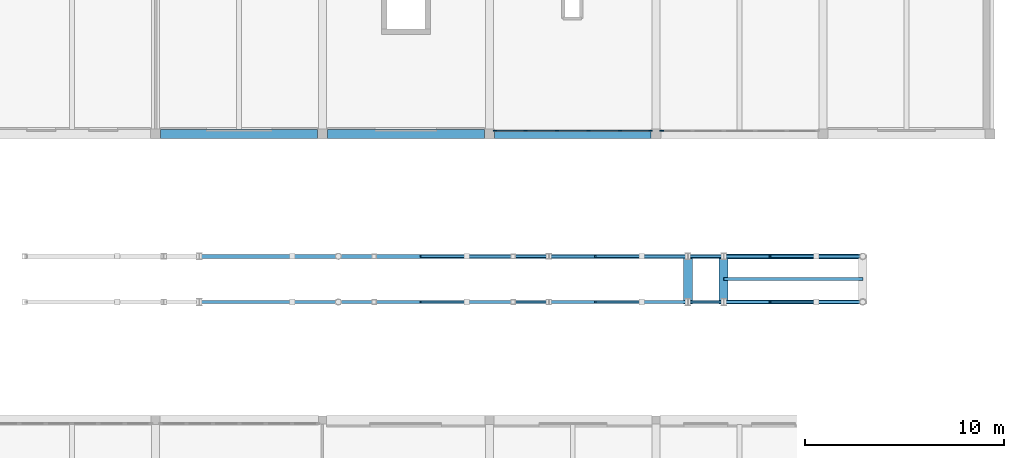
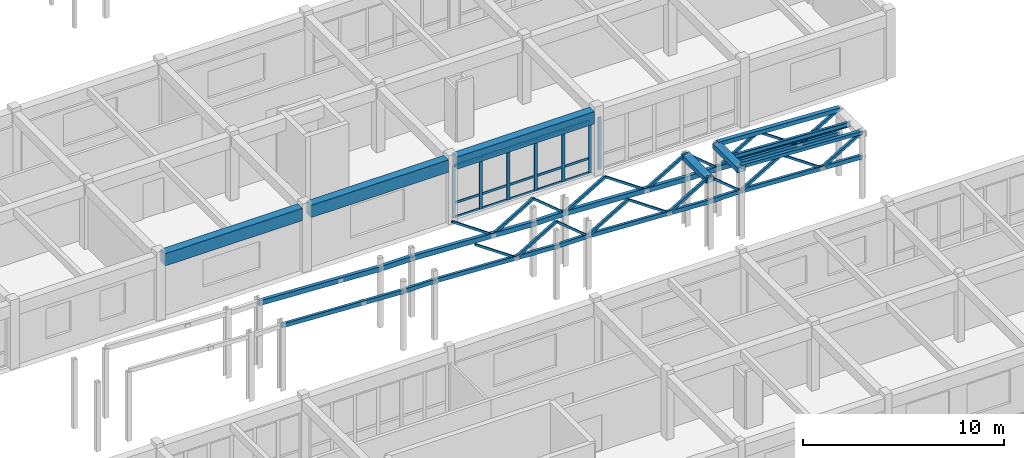
# One storey, part 47 of 90: 58 members, 6 beams, 2 elements without a shape of their own.
"""IFC4 building model written with IfcOpenShell, lengths in metres."""

from ifc_helpers import new_model, si_unit, direction, frame, origin, origin_2d, place, context, subcontext, project, spatial, rectangle, hollow_rectangle, i_section, extrude, material, material_profile, profile_set, type_object, element, aggregate, save


model = new_model("IFC4")

# Units and contexts
model_context = context("Model", 3, precision=1e-05, world=origin(), true_north=direction((0.0, 1.0)))
body_context = subcontext(model_context, "Body", "Model", "MODEL_VIEW")
ifc_project = project(units=[si_unit("LENGTHUNIT", "METRE"), si_unit("AREAUNIT", "SQUARE_METRE"), si_unit("VOLUMEUNIT", "CUBIC_METRE"), si_unit("PLANEANGLEUNIT", "RADIAN"), si_unit("MASSUNIT", "GRAM", prefix="KILO")], contexts=[model_context])

# Site, building, storey
site_placement = place(None, origin())
site = spatial("IfcSite", under=ifc_project, at=site_placement, CompositionType="ELEMENT")
building_placement = place(site_placement, origin())
building = spatial("IfcBuilding", under=site, at=building_placement, Name="Malvenik Polytechnic", CompositionType="ELEMENT")
storey_placement = place(building_placement, frame((0.0, 0.0, 9.300048828125)))
storey = spatial("IfcBuildingStorey", under=building, at=storey_placement, Name="L02", CompositionType="ELEMENT", Elevation=9.300048828125)

# Curtain wall, members
ifc_material_1 = material(Name="Anodised aluminium 6060-T6", Category="aluminium")
curtain_wall_type = type_object("IfcCurtainWallType", Name="ARC-CW-CW-03", PredefinedType="NOTDEFINED", material=ifc_material_1)
curtain_wall_1_placement = place(storey_placement, origin())
curtain_wall_1 = element("IfcCurtainWall", 1, at=curtain_wall_1_placement, inside=storey, type_object=curtain_wall_type, Name="Unitised Curtain Wall CW-03 L02 #148", PredefinedType="NOTDEFINED")
ifc_material_2 = material(Name="Anodised aluminium", Category="aluminium")
ifc_material_profile_1 = material_profile(ifc_material_2, rectangle(XDim=0.06005859375, YDim=0.179931640625, at=origin_2d()), Name="ALU MULLION 60x180")
ifc_profile_set_1 = profile_set([ifc_material_profile_1], Name="Anodised aluminium")
member_type_1 = type_object("IfcMemberType", Name="ARC-CWM-180", PredefinedType="MULLION", material=ifc_profile_set_1)
member_1_placement = place(storey_placement, frame((117.322021484375, 79.3701171875, 0.0), z_axis=(0.0, 0.0, 1.0), x_axis=(0.0, -1.0, 0.0)))
member_1 = element("IfcMember", 2, at=member_1_placement, type_object=member_type_1, Name="CW-03 mullion 1", PredefinedType="MULLION", context=body_context, shape_type="SweptSolid", body=[
    extrude(rectangle(XDim=0.06005859375, YDim=0.179931640625, at=origin_2d()), origin(), (0.0, 0.0, 1.0), 3.179931640625),
])
member_2_placement = place(storey_placement, frame((115.771240234375, 79.3701171875, 0.0), z_axis=(0.0, 0.0, 1.0), x_axis=(0.0, -1.0, 0.0)))
member_2 = element("IfcMember", 3, at=member_2_placement, type_object=member_type_1, Name="CW-03 mullion 2", PredefinedType="MULLION", context=body_context, shape_type="SweptSolid", body=[
    extrude(rectangle(XDim=0.06005859375, YDim=0.179931640625, at=origin_2d()), origin(), (0.0, 0.0, 1.0), 3.179931640625),
])
member_3_placement = place(storey_placement, frame((114.1904296875, 79.3701171875, 0.0), z_axis=(0.0, 0.0, 1.0), x_axis=(0.0, -1.0, 0.0)))
member_3 = element("IfcMember", 4, at=member_3_placement, type_object=member_type_1, Name="CW-03 mullion 3", PredefinedType="MULLION", context=body_context, shape_type="SweptSolid", body=[
    extrude(rectangle(XDim=0.06005859375, YDim=0.179931640625, at=origin_2d()), origin(), (0.0, 0.0, 1.0), 3.179931640625),
])
member_4_placement = place(storey_placement, frame((112.609619140625, 79.3701171875, 0.0), z_axis=(0.0, 0.0, 1.0), x_axis=(0.0, -1.0, 0.0)))
member_4 = element("IfcMember", 5, at=member_4_placement, type_object=member_type_1, Name="CW-03 mullion 4", PredefinedType="MULLION", context=body_context, shape_type="SweptSolid", body=[
    extrude(rectangle(XDim=0.06005859375, YDim=0.179931640625, at=origin_2d()), origin(), (0.0, 0.0, 1.0), 3.179931640625),
])
member_5_placement = place(storey_placement, frame((111.02880859375, 79.3701171875, 0.0), z_axis=(0.0, 0.0, 1.0), x_axis=(0.0, -1.0, 0.0)))
member_5 = element("IfcMember", 6, at=member_5_placement, type_object=member_type_1, Name="CW-03 mullion 5", PredefinedType="MULLION", context=body_context, shape_type="SweptSolid", body=[
    extrude(rectangle(XDim=0.06005859375, YDim=0.179931640625, at=origin_2d()), origin(), (0.0, 0.0, 1.0), 3.179931640625),
])
member_6_placement = place(storey_placement, frame((109.47802734375, 79.3701171875, 0.0), z_axis=(0.0, 0.0, 1.0), x_axis=(0.0, -1.0, 0.0)))
member_6 = element("IfcMember", 7, at=member_6_placement, type_object=member_type_1, Name="CW-03 mullion 6", PredefinedType="MULLION", context=body_context, shape_type="SweptSolid", body=[
    extrude(rectangle(XDim=0.06005859375, YDim=0.179931640625, at=origin_2d()), origin(), (0.0, 0.0, 1.0), 3.179931640625),
])

# Curtain wall, member
curtain_wall_2_placement = place(storey_placement, origin())
curtain_wall_2 = element("IfcCurtainWall", 8, at=curtain_wall_2_placement, inside=storey, type_object=curtain_wall_type, Name="Unitised Curtain Wall CW-03 L02 #147", PredefinedType="NOTDEFINED")
ifc_material_profile_2 = material_profile(ifc_material_2, rectangle(XDim=0.06005859375, YDim=0.199951171875, at=origin_2d()), Name="ALU MULLION 60x200")
ifc_profile_set_2 = profile_set([ifc_material_profile_2], Name="Anodised aluminium")
member_type_2 = type_object("IfcMemberType", Name="ARC-CWM-200", PredefinedType="MULLION", material=ifc_profile_set_2)
member_7_placement = place(storey_placement, frame((117.8779296875, 79.3701171875, 0.0), z_axis=(0.0, 0.0, 1.0), x_axis=(0.0, -1.0, 0.0)))
member_7 = element("IfcMember", 9, at=member_7_placement, type_object=member_type_2, Name="CW-03 mullion 6", PredefinedType="MULLION", context=body_context, shape_type="SweptSolid", body=[
    extrude(rectangle(XDim=0.06005859375, YDim=0.199951171875, at=origin_2d()), origin(), (0.0, 0.0, 1.0), 3.179931640625),
])
aggregate(curtain_wall_2, [member_7])

# Member
ifc_material_profile_3 = material_profile(ifc_material_2, rectangle(XDim=0.06005859375, YDim=0.139892578125, at=origin_2d()), Name="ALU TRANSOM 60x140")
ifc_profile_set_3 = profile_set([ifc_material_profile_3], Name="Anodised aluminium")
member_type_3 = type_object("IfcMemberType", Name="ARC-CWT-140", PredefinedType="USERDEFINED", material=ifc_profile_set_3)
member_8_placement = place(storey_placement, frame((117.2919921875, 79.3701171875, 0.030029296875), z_axis=(-1.0, 0.0, 0.0), x_axis=(0.0, -1.0, 0.0)))
member_8 = element("IfcMember", 10, at=member_8_placement, type_object=member_type_3, Name="CW-03 transom 1.1", ObjectType="TRANSOM", PredefinedType="USERDEFINED", context=body_context, shape_type="SweptSolid", body=[
    extrude(rectangle(XDim=0.06005859375, YDim=0.139892578125, at=origin_2d()), origin(), (0.0, 0.0, 1.0), 1.49072265625),
])

member_9_placement = place(storey_placement, frame((117.2919921875, 79.3701171875, 0.89990234375), z_axis=(-1.0, 0.0, 0.0), x_axis=(0.0, -1.0, 0.0)))
member_9 = element("IfcMember", 11, at=member_9_placement, type_object=member_type_3, Name="CW-03 transom 1.2", ObjectType="TRANSOM", PredefinedType="USERDEFINED", context=body_context, shape_type="SweptSolid", body=[
    extrude(rectangle(XDim=0.06005859375, YDim=0.139892578125, at=origin_2d()), origin(), (0.0, 0.0, 1.0), 1.49072265625),
])

member_10_placement = place(storey_placement, frame((117.2919921875, 79.3701171875, 3.14990234375), z_axis=(-1.0, 0.0, 0.0), x_axis=(0.0, -1.0, 0.0)))
member_10 = element("IfcMember", 12, at=member_10_placement, type_object=member_type_3, Name="CW-03 transom 1.3", ObjectType="TRANSOM", PredefinedType="USERDEFINED", context=body_context, shape_type="SweptSolid", body=[
    extrude(rectangle(XDim=0.06005859375, YDim=0.139892578125, at=origin_2d()), origin(), (0.0, 0.0, 1.0), 1.49072265625),
])

member_11_placement = place(storey_placement, frame((115.7412109375, 79.3701171875, 0.030029296875), z_axis=(-1.0, 0.0, 0.0), x_axis=(0.0, -1.0, 0.0)))
member_11 = element("IfcMember", 13, at=member_11_placement, type_object=member_type_3, Name="CW-03 transom 2.1", ObjectType="TRANSOM", PredefinedType="USERDEFINED", context=body_context, shape_type="SweptSolid", body=[
    extrude(rectangle(XDim=0.06005859375, YDim=0.139892578125, at=origin_2d()), origin(), (0.0, 0.0, 1.0), 1.520751953125),
])

member_12_placement = place(storey_placement, frame((115.7412109375, 79.3701171875, 0.89990234375), z_axis=(-1.0, 0.0, 0.0), x_axis=(0.0, -1.0, 0.0)))
member_12 = element("IfcMember", 14, at=member_12_placement, type_object=member_type_3, Name="CW-03 transom 2.2", ObjectType="TRANSOM", PredefinedType="USERDEFINED", context=body_context, shape_type="SweptSolid", body=[
    extrude(rectangle(XDim=0.06005859375, YDim=0.139892578125, at=origin_2d()), origin(), (0.0, 0.0, 1.0), 1.520751953125),
])

member_13_placement = place(storey_placement, frame((115.7412109375, 79.3701171875, 3.14990234375), z_axis=(-1.0, 0.0, 0.0), x_axis=(0.0, -1.0, 0.0)))
member_13 = element("IfcMember", 15, at=member_13_placement, type_object=member_type_3, Name="CW-03 transom 2.3", ObjectType="TRANSOM", PredefinedType="USERDEFINED", context=body_context, shape_type="SweptSolid", body=[
    extrude(rectangle(XDim=0.06005859375, YDim=0.139892578125, at=origin_2d()), origin(), (0.0, 0.0, 1.0), 1.520751953125),
])

member_14_placement = place(storey_placement, frame((114.160400390625, 79.3701171875, 0.030029296875), z_axis=(-1.0, 0.0, 0.0), x_axis=(0.0, -1.0, 0.0)))
member_14 = element("IfcMember", 16, at=member_14_placement, type_object=member_type_3, Name="CW-03 transom 3.1", ObjectType="TRANSOM", PredefinedType="USERDEFINED", context=body_context, shape_type="SweptSolid", body=[
    extrude(rectangle(XDim=0.06005859375, YDim=0.139892578125, at=origin_2d()), origin(), (0.0, 0.0, 1.0), 1.520751953125),
])

member_15_placement = place(storey_placement, frame((114.160400390625, 79.3701171875, 0.89990234375), z_axis=(-1.0, 0.0, 0.0), x_axis=(0.0, -1.0, 0.0)))
member_15 = element("IfcMember", 17, at=member_15_placement, type_object=member_type_3, Name="CW-03 transom 3.2", ObjectType="TRANSOM", PredefinedType="USERDEFINED", context=body_context, shape_type="SweptSolid", body=[
    extrude(rectangle(XDim=0.06005859375, YDim=0.139892578125, at=origin_2d()), origin(), (0.0, 0.0, 1.0), 1.520751953125),
])

member_16_placement = place(storey_placement, frame((114.160400390625, 79.3701171875, 3.14990234375), z_axis=(-1.0, 0.0, 0.0), x_axis=(0.0, -1.0, 0.0)))
member_16 = element("IfcMember", 18, at=member_16_placement, type_object=member_type_3, Name="CW-03 transom 3.3", ObjectType="TRANSOM", PredefinedType="USERDEFINED", context=body_context, shape_type="SweptSolid", body=[
    extrude(rectangle(XDim=0.06005859375, YDim=0.139892578125, at=origin_2d()), origin(), (0.0, 0.0, 1.0), 1.520751953125),
])

member_17_placement = place(storey_placement, frame((112.57958984375, 79.3701171875, 0.030029296875), z_axis=(-1.0, 0.0, 0.0), x_axis=(0.0, -1.0, 0.0)))
member_17 = element("IfcMember", 19, at=member_17_placement, type_object=member_type_3, Name="CW-03 transom 4.1", ObjectType="TRANSOM", PredefinedType="USERDEFINED", context=body_context, shape_type="SweptSolid", body=[
    extrude(rectangle(XDim=0.06005859375, YDim=0.139892578125, at=origin_2d()), origin(), (0.0, 0.0, 1.0), 1.520751953125),
])

member_18_placement = place(storey_placement, frame((112.57958984375, 79.3701171875, 0.89990234375), z_axis=(-1.0, 0.0, 0.0), x_axis=(0.0, -1.0, 0.0)))
member_18 = element("IfcMember", 20, at=member_18_placement, type_object=member_type_3, Name="CW-03 transom 4.2", ObjectType="TRANSOM", PredefinedType="USERDEFINED", context=body_context, shape_type="SweptSolid", body=[
    extrude(rectangle(XDim=0.06005859375, YDim=0.139892578125, at=origin_2d()), origin(), (0.0, 0.0, 1.0), 1.520751953125),
])

member_19_placement = place(storey_placement, frame((112.57958984375, 79.3701171875, 3.14990234375), z_axis=(-1.0, 0.0, 0.0), x_axis=(0.0, -1.0, 0.0)))
member_19 = element("IfcMember", 21, at=member_19_placement, type_object=member_type_3, Name="CW-03 transom 4.3", ObjectType="TRANSOM", PredefinedType="USERDEFINED", context=body_context, shape_type="SweptSolid", body=[
    extrude(rectangle(XDim=0.06005859375, YDim=0.139892578125, at=origin_2d()), origin(), (0.0, 0.0, 1.0), 1.520751953125),
])

member_20_placement = place(storey_placement, frame((110.998779296875, 79.3701171875, 0.030029296875), z_axis=(-1.0, 0.0, 0.0), x_axis=(0.0, -1.0, 0.0)))
member_20 = element("IfcMember", 22, at=member_20_placement, type_object=member_type_3, Name="CW-03 transom 5.1", ObjectType="TRANSOM", PredefinedType="USERDEFINED", context=body_context, shape_type="SweptSolid", body=[
    extrude(rectangle(XDim=0.06005859375, YDim=0.139892578125, at=origin_2d()), origin(), (0.0, 0.0, 1.0), 1.49072265625),
])

member_21_placement = place(storey_placement, frame((110.998779296875, 79.3701171875, 0.89990234375), z_axis=(-1.0, 0.0, 0.0), x_axis=(0.0, -1.0, 0.0)))
member_21 = element("IfcMember", 23, at=member_21_placement, type_object=member_type_3, Name="CW-03 transom 5.2", ObjectType="TRANSOM", PredefinedType="USERDEFINED", context=body_context, shape_type="SweptSolid", body=[
    extrude(rectangle(XDim=0.06005859375, YDim=0.139892578125, at=origin_2d()), origin(), (0.0, 0.0, 1.0), 1.49072265625),
])

member_22_placement = place(storey_placement, frame((110.998779296875, 79.3701171875, 3.14990234375), z_axis=(-1.0, 0.0, 0.0), x_axis=(0.0, -1.0, 0.0)))
member_22 = element("IfcMember", 24, at=member_22_placement, type_object=member_type_3, Name="CW-03 transom 5.3", ObjectType="TRANSOM", PredefinedType="USERDEFINED", context=body_context, shape_type="SweptSolid", body=[
    extrude(rectangle(XDim=0.06005859375, YDim=0.139892578125, at=origin_2d()), origin(), (0.0, 0.0, 1.0), 1.49072265625),
])

aggregate(curtain_wall_1, [member_1, member_2, member_3, member_4, member_5, member_6, member_8, member_9, member_10, member_11, member_12, member_13, member_14, member_15, member_16, member_17, member_18, member_19, member_20, member_21, member_22])

# Beams
ifc_material_3 = material(Name="Steel S355J2H", Category="steel")
ifc_material_profile_4 = material_profile(ifc_material_3, hollow_rectangle(XDim=0.449951171875, YDim=0.300048828125, WallThickness=0.012451171875, at=origin_2d()), Name="RHS 450x300x12.5")
ifc_profile_set_4 = profile_set([ifc_material_profile_4], Name="Steel S355J2H")
beam_type_1 = type_object("IfcBeamType", Name="STR-BM-SB-07", PredefinedType="BEAM", material=ifc_profile_set_4)
for number, where, z_axis, x_axis, name in (
    (25, (121.0, 70.64990234375, 4.181884765625), (0.0, 1.0, 0.0), (-1.0, 0.0, 0.0), "Ramp Joint Transom RB-02 #1"),
    (26, (119.199951171875, 70.64990234375, 4.181884765625), (0.0, 1.0, 0.0), (-1.0, 0.0, 0.0), "Ramp Joint Transom RB-02 #2"),
):
    element("IfcBeam", number, at=place(storey_placement, frame(where, z_axis=z_axis, x_axis=x_axis)), inside=storey, type_object=beam_type_1, Name=name, PredefinedType="BEAM", context=body_context, shape_type="SweptSolid", body=[
        extrude(hollow_rectangle(XDim=0.449951171875, YDim=0.300048828125, WallThickness=0.012451171875, at=origin_2d()), origin(), (0.0, 0.0, 1.0), 2.5),
    ])
ifc_material_4 = material(Name="Steel S355", Category="steel")
ifc_material_profile_5 = material_profile(ifc_material_4, i_section(OverallWidth=0.14990234375, OverallDepth=0.300048828125, WebThickness=0.007080078125, FlangeThickness=0.0107421875, FilletRadius=0.014892578125, at=origin_2d()), Name="IPE 300")
ifc_profile_set_5 = profile_set([ifc_material_profile_5], Name="Steel S355")
beam_type_2 = type_object("IfcBeamType", Name="STR-BM-SB-09", PredefinedType="JOIST", material=ifc_profile_set_5)
beam_1_placement = place(storey_placement, frame((128.0, 71.89990234375, 3.77490234375), z_axis=(-0.998751643845, 0.0, 0.049951515669), x_axis=(0.0, -1.0, 0.0)))
element("IfcBeam", 27, at=beam_1_placement, inside=storey, type_object=beam_type_2, Name="Ramp Centreline Stringer RB-02 #0", PredefinedType="JOIST", context=body_context, shape_type="SweptSolid", body=[
    extrude(i_section(OverallWidth=0.14990234375, OverallDepth=0.300048828125, WebThickness=0.007080078125, FlangeThickness=0.0107421875, FilletRadius=0.014892578125, at=origin_2d()), origin(), (0.0, 0.0, 1.0), 7.0087890625),
])
ifc_material_5 = material(Name="Precast concrete C40/50", Category="concrete")
ifc_material_profile_6 = material_profile(ifc_material_5, rectangle(XDim=0.4599609375, YDim=0.75, at=origin_2d()), Name="PC SPN 460x750")
ifc_profile_set_6 = profile_set([ifc_material_profile_6], Name="Precast concrete C40/50")
beam_type_3 = type_object("IfcBeamType", Name="STR-BM-SP-02", PredefinedType="SPANDREL", material=ifc_profile_set_6)
beam_2_placement = place(storey_placement, frame((92.64794921875, 79.199951171875, 3.56494140625), z_axis=(1.0, 0.0, 0.0), x_axis=(0.0, 1.0, 0.0)))
element("IfcBeam", 28, at=beam_2_placement, inside=storey, type_object=beam_type_3, Name="Primary Beam SP-02 L02 #1387", PredefinedType="SPANDREL", context=body_context, shape_type="SweptSolid", body=[
    extrude(rectangle(XDim=0.4599609375, YDim=0.75, at=origin_2d()), origin(), (0.0, 0.0, 1.0), 7.904052734375),
])
beam_3_placement = place(storey_placement, frame((101.048095703125, 79.199951171875, 3.56494140625), z_axis=(1.0, 0.0, 0.0), x_axis=(0.0, 1.0, 0.0)))
element("IfcBeam", 29, at=beam_3_placement, inside=storey, type_object=beam_type_3, Name="Primary Beam SP-02 L02 #1388", PredefinedType="SPANDREL", context=body_context, shape_type="SweptSolid", body=[
    extrude(rectangle(XDim=0.4599609375, YDim=0.75, at=origin_2d()), origin(), (0.0, 0.0, 1.0), 7.90380859375),
])
beam_4_placement = place(storey_placement, frame((109.447998046875, 79.199951171875, 3.56494140625), z_axis=(1.0, 0.0, 0.0), x_axis=(0.0, 1.0, 0.0)))
element("IfcBeam", 30, at=beam_4_placement, inside=storey, type_object=beam_type_3, Name="Primary Beam SP-02 L02 #1389", PredefinedType="SPANDREL", context=body_context, shape_type="SweptSolid", body=[
    extrude(rectangle(XDim=0.4599609375, YDim=0.75, at=origin_2d()), origin(), (0.0, 0.0, 1.0), 7.904052734375),
])

# Members
ifc_material_profile_7 = material_profile(ifc_material_3, hollow_rectangle(XDim=0.14990234375, YDim=0.25, WallThickness=0.010009765625, at=origin_2d()), Name="RHS 250x150x10.0")
ifc_profile_set_7 = profile_set([ifc_material_profile_7], Name="Steel S355J2H")
member_type_4 = type_object("IfcMemberType", Name="STR-MEM-TRB-01", PredefinedType="CHORD", material=ifc_profile_set_7)
member_23_placement = place(storey_placement, frame((127.99609375, 70.75, 2.480224609375), z_axis=(-0.998752338878, 0.0, 0.049937616944), x_axis=(0.0, -1.0, 0.0)))
element("IfcMember", 31, at=member_23_placement, inside=storey, type_object=member_type_4, Name="Space-Frame Tube TRB-01 STR-TR-BC-RB-02-1-00", PredefinedType="CHORD", context=body_context, shape_type="SweptSolid", body=[
    extrude(hollow_rectangle(XDim=0.14990234375, YDim=0.25, WallThickness=0.010009765625, at=origin_2d()), origin(), (0.0, 0.0, 1.0), 7.0009765625),
])
member_24_placement = place(storey_placement, frame((120.99609375, 70.75, 2.829833984375), z_axis=(-1.0, 0.0, 0.0), x_axis=(0.0, -1.0, 0.0)))
element("IfcMember", 32, at=member_24_placement, inside=storey, type_object=member_type_4, Name="Space-Frame Tube TRB-01 STR-TR-BC-RB-02-1-01", PredefinedType="CHORD", context=body_context, shape_type="SweptSolid", body=[
    extrude(hollow_rectangle(XDim=0.14990234375, YDim=0.25, WallThickness=0.010009765625, at=origin_2d()), origin(), (0.0, 0.0, 1.0), 1.7919921875),
])
member_25_placement = place(storey_placement, frame((119.196044921875, 70.75, 2.830078125), z_axis=(-0.998752251909, 0.0, 0.049939356288), x_axis=(0.0, -1.0, 0.0)))
element("IfcMember", 33, at=member_25_placement, inside=storey, type_object=member_type_4, Name="Space-Frame Tube TRB-01 STR-TR-BC-RB-02-1-02", PredefinedType="CHORD", context=body_context, shape_type="SweptSolid", body=[
    extrude(hollow_rectangle(XDim=0.14990234375, YDim=0.25, WallThickness=0.010009765625, at=origin_2d()), origin(), (0.0, 0.0, 1.0), 7.000732421875),
])
member_26_placement = place(storey_placement, frame((112.196044921875, 70.75, 3.179931640625), z_axis=(-1.0, 0.0, 0.0), x_axis=(0.0, -1.0, 0.0)))
element("IfcMember", 34, at=member_26_placement, inside=storey, type_object=member_type_4, Name="Space-Frame Tube TRB-01 STR-TR-BC-RB-02-1-03", PredefinedType="CHORD", context=body_context, shape_type="SweptSolid", body=[
    extrude(hollow_rectangle(XDim=0.14990234375, YDim=0.25, WallThickness=0.010009765625, at=origin_2d()), origin(), (0.0, 0.0, 1.0), 1.7919921875),
])
member_27_placement = place(storey_placement, frame((110.39599609375, 70.75, 3.18017578125), z_axis=(-0.998752251909, 0.0, 0.049939356288), x_axis=(0.0, -1.0, 0.0)))
element("IfcMember", 35, at=member_27_placement, inside=storey, type_object=member_type_4, Name="Space-Frame Tube TRB-01 STR-TR-BC-RB-02-1-04", PredefinedType="CHORD", context=body_context, shape_type="SweptSolid", body=[
    extrude(hollow_rectangle(XDim=0.14990234375, YDim=0.25, WallThickness=0.010009765625, at=origin_2d()), origin(), (0.0, 0.0, 1.0), 7.000732421875),
])
member_28_placement = place(storey_placement, frame((103.39599609375, 70.75, 3.530029296875), z_axis=(-1.0, 0.0, 0.0), x_axis=(0.0, -1.0, 0.0)))
element("IfcMember", 36, at=member_28_placement, inside=storey, type_object=member_type_4, Name="Space-Frame Tube TRB-01 STR-TR-BC-RB-02-1-05", PredefinedType="CHORD", context=body_context, shape_type="SweptSolid", body=[
    extrude(hollow_rectangle(XDim=0.14990234375, YDim=0.25, WallThickness=0.010009765625, at=origin_2d()), origin(), (0.0, 0.0, 1.0), 1.7919921875),
])
member_29_placement = place(storey_placement, frame((101.595947265625, 70.75, 3.530029296875), z_axis=(-0.998752251909, 0.0, 0.049939356288), x_axis=(0.0, -1.0, 0.0)))
element("IfcMember", 37, at=member_29_placement, inside=storey, type_object=member_type_4, Name="Space-Frame Tube TRB-01 STR-TR-BC-RB-02-1-06", PredefinedType="CHORD", context=body_context, shape_type="SweptSolid", body=[
    extrude(hollow_rectangle(XDim=0.14990234375, YDim=0.25, WallThickness=0.010009765625, at=origin_2d()), origin(), (0.0, 0.0, 1.0), 7.000732421875),
])
ifc_material_profile_8 = material_profile(ifc_material_3, hollow_rectangle(XDim=0.199951171875, YDim=0.300048828125, WallThickness=0.010009765625, at=origin_2d()), Name="RHS 300x200x10.0")
ifc_profile_set_8 = profile_set([ifc_material_profile_8], Name="Steel S355J2H")
member_type_5 = type_object("IfcMemberType", Name="STR-MEM-TRB-02", PredefinedType="CHORD", material=ifc_profile_set_8)
member_30_placement = place(storey_placement, frame((127.99609375, 73.050048828125, 2.480224609375), z_axis=(-0.998752338878, 0.0, 0.049937616944), x_axis=(0.0, -1.0, 0.0)))
element("IfcMember", 38, at=member_30_placement, inside=storey, type_object=member_type_5, Name="Space-Frame Tube TRB-02 STR-TR-BC-RB-02-2-00", PredefinedType="CHORD", context=body_context, shape_type="SweptSolid", body=[
    extrude(hollow_rectangle(XDim=0.199951171875, YDim=0.300048828125, WallThickness=0.010009765625, at=origin_2d()), origin(), (0.0, 0.0, 1.0), 7.0009765625),
])
member_31_placement = place(storey_placement, frame((120.99609375, 73.050048828125, 2.829833984375), z_axis=(-1.0, 0.0, 0.0), x_axis=(0.0, -1.0, 0.0)))
element("IfcMember", 39, at=member_31_placement, inside=storey, type_object=member_type_5, Name="Space-Frame Tube TRB-02 STR-TR-BC-RB-02-2-01", PredefinedType="CHORD", context=body_context, shape_type="SweptSolid", body=[
    extrude(hollow_rectangle(XDim=0.199951171875, YDim=0.300048828125, WallThickness=0.010009765625, at=origin_2d()), origin(), (0.0, 0.0, 1.0), 1.7919921875),
])
member_32_placement = place(storey_placement, frame((119.196044921875, 73.050048828125, 2.830078125), z_axis=(-0.998752251909, 0.0, 0.049939356288), x_axis=(0.0, -1.0, 0.0)))
element("IfcMember", 40, at=member_32_placement, inside=storey, type_object=member_type_5, Name="Space-Frame Tube TRB-02 STR-TR-BC-RB-02-2-02", PredefinedType="CHORD", context=body_context, shape_type="SweptSolid", body=[
    extrude(hollow_rectangle(XDim=0.199951171875, YDim=0.300048828125, WallThickness=0.010009765625, at=origin_2d()), origin(), (0.0, 0.0, 1.0), 7.000732421875),
])
member_33_placement = place(storey_placement, frame((112.196044921875, 73.050048828125, 3.179931640625), z_axis=(-1.0, 0.0, 0.0), x_axis=(0.0, -1.0, 0.0)))
element("IfcMember", 41, at=member_33_placement, inside=storey, type_object=member_type_5, Name="Space-Frame Tube TRB-02 STR-TR-BC-RB-02-2-03", PredefinedType="CHORD", context=body_context, shape_type="SweptSolid", body=[
    extrude(hollow_rectangle(XDim=0.199951171875, YDim=0.300048828125, WallThickness=0.010009765625, at=origin_2d()), origin(), (0.0, 0.0, 1.0), 1.7919921875),
])
member_34_placement = place(storey_placement, frame((110.39599609375, 73.050048828125, 3.18017578125), z_axis=(-0.998752251909, 0.0, 0.049939356288), x_axis=(0.0, -1.0, 0.0)))
element("IfcMember", 42, at=member_34_placement, inside=storey, type_object=member_type_5, Name="Space-Frame Tube TRB-02 STR-TR-BC-RB-02-2-04", PredefinedType="CHORD", context=body_context, shape_type="SweptSolid", body=[
    extrude(hollow_rectangle(XDim=0.199951171875, YDim=0.300048828125, WallThickness=0.010009765625, at=origin_2d()), origin(), (0.0, 0.0, 1.0), 7.000732421875),
])
member_35_placement = place(storey_placement, frame((103.39599609375, 73.050048828125, 3.530029296875), z_axis=(-1.0, 0.0, 0.0), x_axis=(0.0, -1.0, 0.0)))
element("IfcMember", 43, at=member_35_placement, inside=storey, type_object=member_type_5, Name="Space-Frame Tube TRB-02 STR-TR-BC-RB-02-2-05", PredefinedType="CHORD", context=body_context, shape_type="SweptSolid", body=[
    extrude(hollow_rectangle(XDim=0.199951171875, YDim=0.300048828125, WallThickness=0.010009765625, at=origin_2d()), origin(), (0.0, 0.0, 1.0), 1.7919921875),
])
member_36_placement = place(storey_placement, frame((101.595947265625, 73.050048828125, 3.530029296875), z_axis=(-0.998752251909, 0.0, 0.049939356288), x_axis=(0.0, -1.0, 0.0)))
element("IfcMember", 44, at=member_36_placement, inside=storey, type_object=member_type_5, Name="Space-Frame Tube TRB-02 STR-TR-BC-RB-02-2-06", PredefinedType="CHORD", context=body_context, shape_type="SweptSolid", body=[
    extrude(hollow_rectangle(XDim=0.199951171875, YDim=0.300048828125, WallThickness=0.010009765625, at=origin_2d()), origin(), (0.0, 0.0, 1.0), 7.000732421875),
])
ifc_material_profile_9 = material_profile(ifc_material_3, hollow_rectangle(XDim=0.14990234375, YDim=0.14990234375, WallThickness=0.008056640625, at=origin_2d()), Name="SHS 150x150x8.0")
ifc_profile_set_9 = profile_set([ifc_material_profile_9], Name="Steel S355J2H")
member_type_6 = type_object("IfcMemberType", Name="STR-MEM-TRD-01", PredefinedType="BRACE", material=ifc_profile_set_9)
for number, where, z_axis, x_axis, name in (
    (45, (127.99658203125, 70.75, 3.97802734375), (-0.860165406805, 0.0, -0.51001516932), (0.0, -1.0, 0.0), "Space-Frame Tube TRD-01 STR-TRD-01-RB-02-1-00"),
    (46, (123.329833984375, 70.75, 4.211181640625), (-0.860205006447, 0.0, -0.509948376684), (0.0, -1.0, 0.0), "Space-Frame Tube TRD-01 STR-TRD-03-RB-02-1-00"),
    (47, (119.196533203125, 70.75, 4.327880859375), (-0.860205006447, 0.0, -0.509948376684), (0.0, -1.0, 0.0), "Space-Frame Tube TRD-01 STR-TRD-01-RB-02-1-02"),
    (48, (114.52978515625, 70.75, 4.561279296875), (-0.860165406805, 0.0, -0.51001516932), (0.0, -1.0, 0.0), "Space-Frame Tube TRD-01 STR-TRD-03-RB-02-1-02"),
    (49, (110.396484375, 70.75, 4.677978515625), (-0.860165406805, 0.0, -0.51001516932), (0.0, -1.0, 0.0), "Space-Frame Tube TRD-01 STR-TRD-01-RB-02-1-04"),
    (50, (127.99658203125, 73.050048828125, 3.97802734375), (-0.860165406805, 0.0, -0.51001516932), (0.0, -1.0, 0.0), "Space-Frame Tube TRD-01 STR-TRD-01-RB-02-2-00"),
    (51, (123.329833984375, 73.050048828125, 4.211181640625), (-0.860205006447, 0.0, -0.509948376684), (0.0, -1.0, 0.0), "Space-Frame Tube TRD-01 STR-TRD-03-RB-02-2-00"),
    (52, (119.196533203125, 73.050048828125, 4.327880859375), (-0.860205006447, 0.0, -0.509948376684), (0.0, -1.0, 0.0), "Space-Frame Tube TRD-01 STR-TRD-01-RB-02-2-02"),
    (53, (114.52978515625, 73.050048828125, 4.561279296875), (-0.860165406805, 0.0, -0.51001516932), (0.0, -1.0, 0.0), "Space-Frame Tube TRD-01 STR-TRD-03-RB-02-2-02"),
    (54, (110.396484375, 73.050048828125, 4.677978515625), (-0.860165406805, 0.0, -0.51001516932), (0.0, -1.0, 0.0), "Space-Frame Tube TRD-01 STR-TRD-01-RB-02-2-04"),
):
    element("IfcMember", number, at=place(storey_placement, frame(where, z_axis=z_axis, x_axis=x_axis)), inside=storey, type_object=member_type_6, Name=name, PredefinedType="BRACE", context=body_context, shape_type="SweptSolid", body=[
        extrude(hollow_rectangle(XDim=0.14990234375, YDim=0.14990234375, WallThickness=0.008056640625, at=origin_2d()), origin(), (0.0, 0.0, 1.0), 2.70458984375),
    ])
ifc_material_profile_10 = material_profile(ifc_material_3, hollow_rectangle(XDim=0.1201171875, YDim=0.1201171875, WallThickness=0.00634765625, at=origin_2d()), Name="SHS 120x120x6.3")
ifc_profile_set_10 = profile_set([ifc_material_profile_10], Name="Steel S355J2H")
member_type_7 = type_object("IfcMemberType", Name="STR-MEM-TRD-02", PredefinedType="BRACE", material=ifc_profile_set_10)
member_37_placement = place(storey_placement, frame((125.663330078125, 70.75, 2.598876953125), z_axis=(-0.821977884392, 0.0, 0.569519409301), x_axis=(0.0, -1.0, 0.0)))
element("IfcMember", 55, at=member_37_placement, inside=storey, type_object=member_type_7, Name="Space-Frame Tube TRD-02 STR-TRD-02-RB-02-1-00", PredefinedType="BRACE", context=body_context, shape_type="SweptSolid", body=[
    extrude(hollow_rectangle(XDim=0.1201171875, YDim=0.1201171875, WallThickness=0.00634765625, at=origin_2d()), origin(), (0.0, 0.0, 1.0), 2.83056640625),
])
member_38_placement = place(storey_placement, frame((120.996826171875, 70.75, 2.83251953125), z_axis=(-0.768195567728, 0.0, 0.640215252647), x_axis=(0.0, -1.0, 0.0)))
element("IfcMember", 56, at=member_38_placement, inside=storey, type_object=member_type_7, Name="Space-Frame Tube TRD-02 STR-TR-DGL-RB-02-1-01", PredefinedType="BRACE", context=body_context, shape_type="SweptSolid", body=[
    extrude(hollow_rectangle(XDim=0.1201171875, YDim=0.1201171875, WallThickness=0.00634765625, at=origin_2d()), origin(), (0.0, 0.0, 1.0), 2.3349609375),
])
member_39_placement = place(storey_placement, frame((116.86328125, 70.75, 2.948974609375), z_axis=(-0.821977884392, 0.0, 0.569519409301), x_axis=(0.0, -1.0, 0.0)))
element("IfcMember", 57, at=member_39_placement, inside=storey, type_object=member_type_7, Name="Space-Frame Tube TRD-02 STR-TRD-02-RB-02-1-02", PredefinedType="BRACE", context=body_context, shape_type="SweptSolid", body=[
    extrude(hollow_rectangle(XDim=0.1201171875, YDim=0.1201171875, WallThickness=0.00634765625, at=origin_2d()), origin(), (0.0, 0.0, 1.0), 2.83056640625),
])
member_40_placement = place(storey_placement, frame((112.197021484375, 70.75, 3.1826171875), z_axis=(-0.768289837605, 0.0, 0.640102121097), x_axis=(0.0, -1.0, 0.0)))
element("IfcMember", 58, at=member_40_placement, inside=storey, type_object=member_type_7, Name="Space-Frame Tube TRD-02 STR-TR-DGL-RB-02-1-03", PredefinedType="BRACE", context=body_context, shape_type="SweptSolid", body=[
    extrude(hollow_rectangle(XDim=0.1201171875, YDim=0.1201171875, WallThickness=0.00634765625, at=origin_2d()), origin(), (0.0, 0.0, 1.0), 2.3349609375),
])
for number, where, z_axis, x_axis, name in (
    (59, (108.0634765625, 70.75, 3.299072265625), (-0.822046230069, 0.0, 0.569420754477), (0.0, -1.0, 0.0), "Space-Frame Tube TRD-02 STR-TRD-02-RB-02-1-04"),
    (60, (125.663330078125, 73.050048828125, 2.598876953125), (-0.821977884392, 0.0, 0.569519409301), (0.0, -1.0, 0.0), "Space-Frame Tube TRD-02 STR-TRD-02-RB-02-2-00"),
):
    element("IfcMember", number, at=place(storey_placement, frame(where, z_axis=z_axis, x_axis=x_axis)), inside=storey, type_object=member_type_7, Name=name, PredefinedType="BRACE", context=body_context, shape_type="SweptSolid", body=[
        extrude(hollow_rectangle(XDim=0.1201171875, YDim=0.1201171875, WallThickness=0.00634765625, at=origin_2d()), origin(), (0.0, 0.0, 1.0), 2.83056640625),
    ])
member_41_placement = place(storey_placement, frame((120.996826171875, 73.050048828125, 2.83251953125), z_axis=(-0.768195567728, 0.0, 0.640215252647), x_axis=(0.0, -1.0, 0.0)))
element("IfcMember", 61, at=member_41_placement, inside=storey, type_object=member_type_7, Name="Space-Frame Tube TRD-02 STR-TR-DGL-RB-02-2-01", PredefinedType="BRACE", context=body_context, shape_type="SweptSolid", body=[
    extrude(hollow_rectangle(XDim=0.1201171875, YDim=0.1201171875, WallThickness=0.00634765625, at=origin_2d()), origin(), (0.0, 0.0, 1.0), 2.3349609375),
])
member_42_placement = place(storey_placement, frame((116.86328125, 73.050048828125, 2.948974609375), z_axis=(-0.821977884392, 0.0, 0.569519409301), x_axis=(0.0, -1.0, 0.0)))
element("IfcMember", 62, at=member_42_placement, inside=storey, type_object=member_type_7, Name="Space-Frame Tube TRD-02 STR-TRD-02-RB-02-2-02", PredefinedType="BRACE", context=body_context, shape_type="SweptSolid", body=[
    extrude(hollow_rectangle(XDim=0.1201171875, YDim=0.1201171875, WallThickness=0.00634765625, at=origin_2d()), origin(), (0.0, 0.0, 1.0), 2.83056640625),
])
member_43_placement = place(storey_placement, frame((112.197021484375, 73.050048828125, 3.1826171875), z_axis=(-0.768289837605, 0.0, 0.640102121097), x_axis=(0.0, -1.0, 0.0)))
element("IfcMember", 63, at=member_43_placement, inside=storey, type_object=member_type_7, Name="Space-Frame Tube TRD-02 STR-TR-DGL-RB-02-2-03", PredefinedType="BRACE", context=body_context, shape_type="SweptSolid", body=[
    extrude(hollow_rectangle(XDim=0.1201171875, YDim=0.1201171875, WallThickness=0.00634765625, at=origin_2d()), origin(), (0.0, 0.0, 1.0), 2.3349609375),
])
member_44_placement = place(storey_placement, frame((108.0634765625, 73.050048828125, 3.299072265625), z_axis=(-0.822046230069, 0.0, 0.569420754477), x_axis=(0.0, -1.0, 0.0)))
element("IfcMember", 64, at=member_44_placement, inside=storey, type_object=member_type_7, Name="Space-Frame Tube TRD-02 STR-TRD-02-RB-02-2-04", PredefinedType="BRACE", context=body_context, shape_type="SweptSolid", body=[
    extrude(hollow_rectangle(XDim=0.1201171875, YDim=0.1201171875, WallThickness=0.00634765625, at=origin_2d()), origin(), (0.0, 0.0, 1.0), 2.83056640625),
])
ifc_material_profile_11 = material_profile(ifc_material_3, hollow_rectangle(XDim=0.199951171875, YDim=0.199951171875, WallThickness=0.010009765625, at=origin_2d()), Name="SHS 200x200x10.0")
ifc_profile_set_11 = profile_set([ifc_material_profile_11], Name="Steel S355J2H")
member_type_8 = type_object("IfcMemberType", Name="STR-MEM-TRT-01", PredefinedType="CHORD", material=ifc_profile_set_11)
member_45_placement = place(storey_placement, frame((127.99609375, 70.75, 3.980224609375), z_axis=(-0.998752338878, 0.0, 0.049937616944), x_axis=(0.0, -1.0, 0.0)))
element("IfcMember", 65, at=member_45_placement, inside=storey, type_object=member_type_8, Name="Space-Frame Tube TRT-01 STR-TR-TC-RB-02-1-00", PredefinedType="CHORD", context=body_context, shape_type="SweptSolid", body=[
    extrude(hollow_rectangle(XDim=0.199951171875, YDim=0.199951171875, WallThickness=0.010009765625, at=origin_2d()), origin(), (0.0, 0.0, 1.0), 7.0009765625),
])
ifc_material_profile_12 = material_profile(ifc_material_3, hollow_rectangle(XDim=0.25, YDim=0.25, WallThickness=0.010009765625, at=origin_2d()), Name="SHS 250x250x10.0")
ifc_profile_set_12 = profile_set([ifc_material_profile_12], Name="Steel S355J2H")
member_type_9 = type_object("IfcMemberType", Name="STR-MEM-TRT-02", PredefinedType="CHORD", material=ifc_profile_set_12)
member_46_placement = place(storey_placement, frame((127.99609375, 73.050048828125, 3.980224609375), z_axis=(-0.998752338878, 0.0, 0.049937616944), x_axis=(0.0, -1.0, 0.0)))
element("IfcMember", 66, at=member_46_placement, inside=storey, type_object=member_type_9, Name="Space-Frame Tube TRT-02 STR-TR-TC-RB-02-2-00", PredefinedType="CHORD", context=body_context, shape_type="SweptSolid", body=[
    extrude(hollow_rectangle(XDim=0.25, YDim=0.25, WallThickness=0.010009765625, at=origin_2d()), origin(), (0.0, 0.0, 1.0), 7.0009765625),
])

save(model, "model.ifc")
